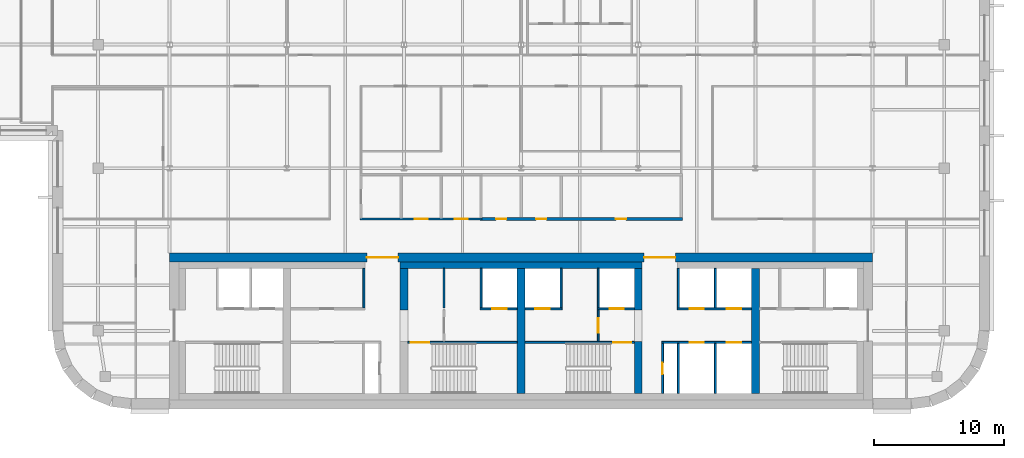
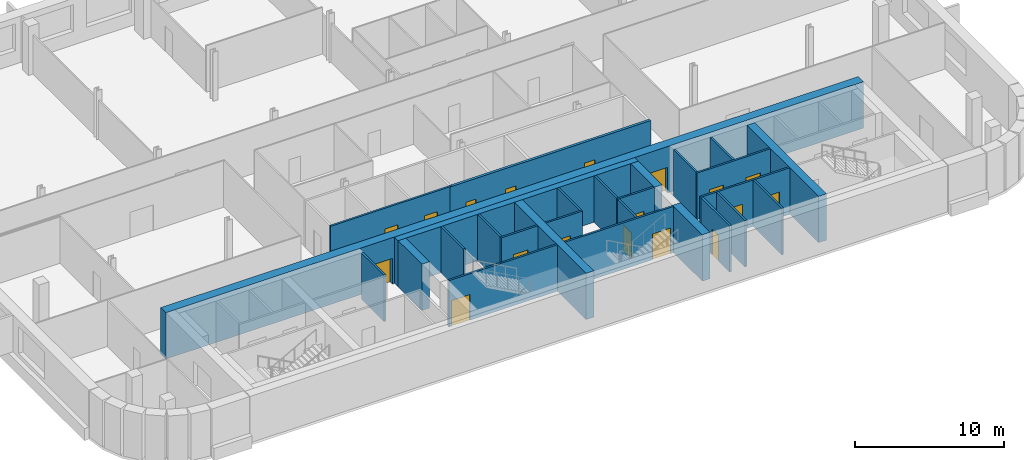
# One storey, part 8 of 16: 27 walls, 18 doors, 18 openings.
"""IFC4 building model written with IfcOpenShell, lengths in metres."""

from ifc_helpers import new_model, si_unit, direction, frame, frame_2d, origin, place, context, subcontext, project, spatial, rectangle, extrude, material, layer, layer_set, type_object, element, fill, save


model = new_model("IFC4")

# Units and contexts
model_context = context("Model", 3, precision=1e-05, world=origin(), true_north=direction((0.0, 1.0)))
body_context = subcontext(model_context, "Body", "Model", "MODEL_VIEW")
ifc_project = project(units=[si_unit("LENGTHUNIT", "METRE"), si_unit("AREAUNIT", "SQUARE_METRE"), si_unit("VOLUMEUNIT", "CUBIC_METRE"), si_unit("PLANEANGLEUNIT", "RADIAN"), si_unit("MASSUNIT", "GRAM", prefix="KILO")], contexts=[model_context])

# Site, building, storey
site_placement = place(None, origin())
site = spatial("IfcSite", under=ifc_project, at=site_placement, CompositionType="ELEMENT")
building_placement = place(site_placement, origin())
building = spatial("IfcBuilding", under=site, at=building_placement, Name="Zellij Exchange Tower", CompositionType="ELEMENT")
storey_placement = place(building_placement, frame((0.0, 0.0, 248.5)))
storey = spatial("IfcBuildingStorey", under=building, at=storey_placement, Name="L58", CompositionType="ELEMENT", Elevation=248.5)

# Walls
ifc_material_1 = material(Name="Concrete C50/60", Category="concrete")
ifc_layer_1 = layer(ifc_material_1, 0.60009765625)
ifc_layer_set_1 = layer_set([ifc_layer_1], Name="Concrete C50/60")
wall_type_1 = type_object("IfcWallType", Name="CORE-CW 600 C50/60", PredefinedType="SHEAR", material=ifc_layer_set_1)
wall_1_placement = place(storey_placement, frame((-9.0, -6.375, 0.0), z_axis=(0.0, 0.0, 1.0), x_axis=(0.0, 1.0, 0.0)))
element("IfcWall", 1, at=wall_1_placement, inside=storey, type_object=wall_type_1, Name="Core cross wall pier x -9 b L58", PredefinedType="SHEAR", context=body_context, shape_type="SweptSolid", body=[
    extrude(rectangle(XDim=3.175048828125, YDim=0.60009765625, at=frame_2d((1.58740234375, 0.0))), origin(), (0.0, 0.0, 1.0), 3.800048828125),
])
wall_2_placement = place(storey_placement, frame((0.0, -12.800048828125, 0.0), z_axis=(0.0, 0.0, 1.0), x_axis=(0.0, 1.0, 0.0)))
element("IfcWall", 2, at=wall_2_placement, inside=storey, type_object=wall_type_1, Name="Core cross wall x 0 L58", PredefinedType="SHEAR", context=body_context, shape_type="SweptSolid", body=[
    extrude(rectangle(XDim=9.60009765625, YDim=0.60009765625, at=frame_2d((4.800048828125, 0.0))), origin(), (0.0, 0.0, 1.0), 3.800048828125),
])
wall_3_placement = place(storey_placement, frame((9.0, -12.800048828125, 0.0), z_axis=(0.0, 0.0, 1.0), x_axis=(0.0, 1.0, 0.0)))
element("IfcWall", 3, at=wall_3_placement, inside=storey, type_object=wall_type_1, Name="Core cross wall pier x 9 a L58", PredefinedType="SHEAR", context=body_context, shape_type="SweptSolid", body=[
    extrude(rectangle(XDim=4.0, YDim=0.60009765625, at=frame_2d((2.0, 0.0))), origin(), (0.0, 0.0, 1.0), 3.800048828125),
])
wall_4_placement = place(storey_placement, frame((9.0, -6.375, 0.0), z_axis=(0.0, 0.0, 1.0), x_axis=(0.0, 1.0, 0.0)))
element("IfcWall", 4, at=wall_4_placement, inside=storey, type_object=wall_type_1, Name="Core cross wall pier x 9 b L58", PredefinedType="SHEAR", context=body_context, shape_type="SweptSolid", body=[
    extrude(rectangle(XDim=3.175048828125, YDim=0.60009765625, at=frame_2d((1.58740234375, 0.0))), origin(), (0.0, 0.0, 1.0), 3.800048828125),
])
wall_5_placement = place(storey_placement, frame((18.0, -12.800048828125, 0.0), z_axis=(0.0, 0.0, 1.0), x_axis=(0.0, 1.0, 0.0)))
element("IfcWall", 5, at=wall_5_placement, inside=storey, type_object=wall_type_1, Name="Core cross wall x 18 L58", PredefinedType="SHEAR", context=body_context, shape_type="SweptSolid", body=[
    extrude(rectangle(XDim=9.60009765625, YDim=0.60009765625, at=frame_2d((4.800048828125, 0.0))), origin(), (0.0, 0.0, 1.0), 3.800048828125),
])
ifc_material_2 = material(Name="Concrete C30/37", Category="concrete")
ifc_layer_2 = layer(ifc_material_2, 0.5)
ifc_layer_set_2 = layer_set([ifc_layer_2], Name="Concrete C30/37")
wall_type_2 = type_object("IfcWallType", Name="CORE-LW 500 C30/37", PredefinedType="SHEAR", material=ifc_layer_set_2)
wall_6_placement = place(storey_placement, frame((-9.300048828125, -2.949951171875, 0.0), z_axis=(0.0, 0.0, 1.0), x_axis=(1.0, 0.0, 0.0)))
element("IfcWall", 6, at=wall_6_placement, inside=storey, type_object=wall_type_2, Name="Core wall lining front.1 L58", PredefinedType="SHEAR", context=body_context, shape_type="SweptSolid", body=[
    extrude(rectangle(XDim=18.60009765625, YDim=0.5, at=frame_2d((9.300048828125, 0.0))), origin(), (0.0, 0.0, 1.0), 3.800048828125),
])

# Wall, opening, door
ifc_material_3 = material(Name="Gypsum shaft wall system")
ifc_layer_3 = layer(ifc_material_3, 0.14990234375)
ifc_layer_set_3 = layer_set([ifc_layer_3], Name="Gypsum shaft wall system")
wall_type_3 = type_object("IfcWallType", Name="CORE-PW 150 Firefighting lobby wall", PredefinedType="PARTITIONING", material=ifc_layer_set_3)
wall_7_placement = place(storey_placement, frame((5.925048828125, -8.800048828125, 0.0), z_axis=(0.0, 0.0, 1.0), x_axis=(0.0, 1.0, 0.0)))
wall_7 = element("IfcWall", 7, at=wall_7_placement, inside=storey, type_object=wall_type_3, Name="Firefighting lobby wall L58", PredefinedType="PARTITIONING", context=body_context, shape_type="SweptSolid", body=[
    extrude(rectangle(XDim=2.425048828125, YDim=0.14990234375, at=frame_2d((1.21240234375, 0.0))), origin(), (0.0, 0.0, 1.0), 3.800048828125),
])
opening_1_placement = place(wall_7_placement, frame((0.662109375, 0.0, 0.0)))
opening_1 = element("IfcOpeningElement", 8, at=opening_1_placement, cuts=wall_7, Name="Opening CA-30.13", PredefinedType="OPENING", context=body_context, shape_type="SweptSolid", body=[
    extrude(rectangle(XDim=1.10009765625, YDim=2.10009765625, at=frame_2d((0.550048828125, 1.050048828125))), frame((0.0, 0.0869140625, 0.0), z_axis=(0.0, -1.0, 0.0), x_axis=(1.0, 0.0, 0.0)), (0.0, 0.0, 1.0), 0.173828125),
])
ifc_material_4 = material(Name="Hollow metal fire door")
door_type_1 = type_object("IfcDoorType", Name="CORE-D F Firefighting lobby door 1100x2100 1 HR", OperationType="NOTDEFINED", PredefinedType="DOOR", material=ifc_material_4)
door_1_placement = place(opening_1_placement, origin())
door_1 = element("IfcDoor", 9, at=door_1_placement, inside=storey, type_object=door_type_1, Name="Firefighting lobby door CA-30.13", OperationType="SINGLE_SWING_RIGHT", OverallHeight=2.10009765625, OverallWidth=1.10009765625, PredefinedType="DOOR", context=body_context, shape_type="SweptSolid", body=[
    extrude(rectangle(XDim=1.10009765625, YDim=2.10009765625, at=frame_2d((0.550048828125, 1.050048828125))), frame((0.0, 0.02490234375, 0.0), z_axis=(0.0, -1.0, 0.0), x_axis=(1.0, 0.0, 0.0)), (0.0, 0.0, 1.0), 0.050048828125),
])
fill(opening_1, door_1)

# Walls
ifc_material_5 = material(Name="Gypsum board partition")
ifc_layer_4 = layer(ifc_material_5, 0.14990234375)
ifc_layer_set_4 = layer_set([ifc_layer_4], Name="Gypsum board partition")
wall_type_4 = type_object("IfcWallType", Name="CORE-PW 150 Lift lobby wall", PredefinedType="PARTITIONING", material=ifc_layer_set_4)
for number, where, z_axis, x_axis, name in (
    (10, (-12.074951171875, -6.22509765625, 0.0), (0.0, 0.0, 1.0), (0.0, 1.0, 0.0), "Lift lobby wall L58"),
    (11, (-5.925048828125, -6.22509765625, 0.0), (0.0, 0.0, 1.0), (0.0, 1.0, 0.0), "Lift lobby wall L58"),
):
    element("IfcWall", number, at=place(storey_placement, frame(where, z_axis=z_axis, x_axis=x_axis)), inside=storey, type_object=wall_type_4, Name=name, PredefinedType="PARTITIONING", context=body_context, shape_type="SweptSolid", body=[
        extrude(rectangle(XDim=3.025146484375, YDim=0.14990234375, at=frame_2d((1.5126953125, 0.0))), origin(), (0.0, 0.0, 1.0), 3.800048828125),
    ])

# Wall, opening, door
wall_8_placement = place(storey_placement, frame((10.875, -12.800048828125, 0.0), z_axis=(0.0, 0.0, 1.0), x_axis=(0.0, 1.0, 0.0)))
wall_8 = element("IfcWall", 12, at=wall_8_placement, inside=storey, type_object=wall_type_4, Name="Lift lobby wall L58", PredefinedType="PARTITIONING", context=body_context, shape_type="SweptSolid", body=[
    extrude(rectangle(XDim=3.85009765625, YDim=0.14990234375, at=frame_2d((1.925048828125, 0.0))), origin(), (0.0, 0.0, 1.0), 3.800048828125),
])
opening_2_placement = place(wall_8_placement, frame((1.47509765625, 0.0, 0.0)))
opening_2 = element("IfcOpeningElement", 13, at=opening_2_placement, cuts=wall_8, Name="Opening CA-30.17", PredefinedType="OPENING", context=body_context, shape_type="SweptSolid", body=[
    extrude(rectangle(XDim=0.89990234375, YDim=2.10009765625, at=frame_2d((0.449951171875, 1.050048828125))), frame((0.0, 0.0869140625, 0.0), z_axis=(0.0, -1.0, 0.0), x_axis=(1.0, 0.0, 0.0)), (0.0, 0.0, 1.0), 0.173828125),
])
door_type_2 = type_object("IfcDoorType", Name="CORE-D RD Riser door 900x2100 1.5 HR", OperationType="NOTDEFINED", PredefinedType="DOOR", material=ifc_material_4)
door_2_placement = place(opening_2_placement, origin())
door_2 = element("IfcDoor", 14, at=door_2_placement, inside=storey, type_object=door_type_2, Name="Riser door CA-30.17", OperationType="SINGLE_SWING_LEFT", OverallHeight=2.10009765625, OverallWidth=0.89990234375, PredefinedType="DOOR", context=body_context, shape_type="SweptSolid", body=[
    extrude(rectangle(XDim=0.89990234375, YDim=2.10009765625, at=frame_2d((0.449951171875, 1.050048828125))), frame((0.0, 0.02490234375, 0.0), z_axis=(0.0, -1.0, 0.0), x_axis=(1.0, 0.0, 0.0)), (0.0, 0.0, 1.0), 0.050048828125),
])
fill(opening_2, door_2)

# Walls
ifc_layer_5 = layer(ifc_material_3, 0.14990234375)
ifc_layer_set_5 = layer_set([ifc_layer_5], Name="Gypsum shaft wall system")
wall_type_5 = type_object("IfcWallType", Name="CORE-PW 150 Lift shaft wall", PredefinedType="PARTITIONING", material=ifc_layer_set_5)
for number, where, z_axis, x_axis, name in (
    (15, (-3.074951171875, -6.22509765625, 0.0), (0.0, 0.0, 1.0), (0.0, 1.0, 0.0), "Lift shaft wall L58"),
    (16, (3.074951171875, -6.22509765625, 0.0), (0.0, 0.0, 1.0), (0.0, 1.0, 0.0), "Lift shaft wall L58"),
    (17, (5.925048828125, -6.22509765625, 0.0), (0.0, 0.0, 1.0), (0.0, 1.0, 0.0), "Lift shaft wall L58"),
    (18, (12.074951171875, -6.22509765625, 0.0), (0.0, 0.0, 1.0), (0.0, 1.0, 0.0), "Lift shaft wall L58"),
    (19, (14.925048828125, -6.22509765625, 0.0), (0.0, 0.0, 1.0), (0.0, 1.0, 0.0), "Lift shaft wall L58"),
):
    element("IfcWall", number, at=place(storey_placement, frame(where, z_axis=z_axis, x_axis=x_axis)), inside=storey, type_object=wall_type_5, Name=name, PredefinedType="PARTITIONING", context=body_context, shape_type="SweptSolid", body=[
        extrude(rectangle(XDim=3.025146484375, YDim=0.14990234375, at=frame_2d((1.5126953125, 0.0))), origin(), (0.0, 0.0, 1.0), 3.800048828125),
    ])
for number, where, z_axis, x_axis, name in (
    (20, (12.074951171875, -12.800048828125, 0.0), (0.0, 0.0, 1.0), (0.0, 1.0, 0.0), "Lift shaft wall L58"),
    (21, (14.925048828125, -12.800048828125, 0.0), (0.0, 0.0, 1.0), (0.0, 1.0, 0.0), "Lift shaft wall L58"),
):
    element("IfcWall", number, at=place(storey_placement, frame(where, z_axis=z_axis, x_axis=x_axis)), inside=storey, type_object=wall_type_5, Name=name, PredefinedType="PARTITIONING", context=body_context, shape_type="SweptSolid", body=[
        extrude(rectangle(XDim=3.85009765625, YDim=0.14990234375, at=frame_2d((1.925048828125, 0.0))), origin(), (0.0, 0.0, 1.0), 3.800048828125),
    ])

# Wall, opening, door
wall_9_placement = place(storey_placement, frame((-3.14990234375, -6.300048828125, 0.0), z_axis=(0.0, 0.0, 1.0), x_axis=(1.0, 0.0, 0.0)))
wall_9 = element("IfcWall", 22, at=wall_9_placement, inside=storey, type_object=wall_type_5, Name="Lift shaft wall L58", PredefinedType="PARTITIONING", context=body_context, shape_type="SweptSolid", body=[
    extrude(rectangle(XDim=2.849853515625, YDim=0.14990234375, at=frame_2d((1.4248046875, 0.0))), origin(), (0.0, 0.0, 1.0), 3.800048828125),
])
opening_3_placement = place(wall_9_placement, frame((0.949951171875, 0.0, 0.0)))
opening_3 = element("IfcOpeningElement", 23, at=opening_3_placement, cuts=wall_9, Name="Opening CA-30.11", PredefinedType="OPENING", context=body_context, shape_type="SweptSolid", body=[
    extrude(rectangle(XDim=1.10009765625, YDim=2.10009765625, at=frame_2d((0.550048828125, 1.050048828125))), frame((0.0, 0.0869140625, 0.0), z_axis=(0.0, -1.0, 0.0), x_axis=(1.0, 0.0, 0.0)), (0.0, 0.0, 1.0), 0.173828125),
])
door_type_3 = type_object("IfcDoorType", Name="CORE-D LD Lift landing door 1100x2100 1.5 HR", OperationType="NOTDEFINED", PredefinedType="DOOR", material=ifc_material_4)
door_3_placement = place(opening_3_placement, origin())
door_3 = element("IfcDoor", 24, at=door_3_placement, inside=storey, type_object=door_type_3, Name="Lift landing door CA-30.11", OperationType="SLIDING_TO_LEFT", OverallHeight=2.10009765625, OverallWidth=1.10009765625, PredefinedType="DOOR", context=body_context, shape_type="SweptSolid", body=[
    extrude(rectangle(XDim=1.10009765625, YDim=2.10009765625, at=frame_2d((0.550048828125, 1.050048828125))), frame((0.0, 0.02490234375, 0.0), z_axis=(0.0, -1.0, 0.0), x_axis=(1.0, 0.0, 0.0)), (0.0, 0.0, 1.0), 0.050048828125),
])
fill(opening_3, door_3)

wall_10_placement = place(storey_placement, frame((0.300048828125, -6.300048828125, 0.0), z_axis=(0.0, 0.0, 1.0), x_axis=(1.0, 0.0, 0.0)))
wall_10 = element("IfcWall", 25, at=wall_10_placement, inside=storey, type_object=wall_type_5, Name="Lift shaft wall L58", PredefinedType="PARTITIONING", context=body_context, shape_type="SweptSolid", body=[
    extrude(rectangle(XDim=2.849853515625, YDim=0.14990234375, at=frame_2d((1.4248046875, 0.0))), origin(), (0.0, 0.0, 1.0), 3.800048828125),
])
opening_4_placement = place(wall_10_placement, frame((0.800048828125, 0.0, 0.0)))
opening_4 = element("IfcOpeningElement", 26, at=opening_4_placement, cuts=wall_10, Name="Opening CA-30.12", PredefinedType="OPENING", context=body_context, shape_type="SweptSolid", body=[
    extrude(rectangle(XDim=1.10009765625, YDim=2.10009765625, at=frame_2d((0.550048828125, 1.050048828125))), frame((0.0, 0.0869140625, 0.0), z_axis=(0.0, -1.0, 0.0), x_axis=(1.0, 0.0, 0.0)), (0.0, 0.0, 1.0), 0.173828125),
])
door_4_placement = place(opening_4_placement, origin())
door_4 = element("IfcDoor", 27, at=door_4_placement, inside=storey, type_object=door_type_3, Name="Lift landing door CA-30.12", OperationType="SLIDING_TO_RIGHT", OverallHeight=2.10009765625, OverallWidth=1.10009765625, PredefinedType="DOOR", context=body_context, shape_type="SweptSolid", body=[
    extrude(rectangle(XDim=1.10009765625, YDim=2.10009765625, at=frame_2d((0.550048828125, 1.050048828125))), frame((0.0, 0.02490234375, 0.0), z_axis=(0.0, -1.0, 0.0), x_axis=(1.0, 0.0, 0.0)), (0.0, 0.0, 1.0), 0.050048828125),
])
fill(opening_4, door_4)

wall_11_placement = place(storey_placement, frame((5.85009765625, -6.300048828125, 0.0), z_axis=(0.0, 0.0, 1.0), x_axis=(1.0, 0.0, 0.0)))
wall_11 = element("IfcWall", 28, at=wall_11_placement, inside=storey, type_object=wall_type_5, Name="Lift shaft wall L58", PredefinedType="PARTITIONING", context=body_context, shape_type="SweptSolid", body=[
    extrude(rectangle(XDim=2.849853515625, YDim=0.14990234375, at=frame_2d((1.4248046875, 0.0))), origin(), (0.0, 0.0, 1.0), 3.800048828125),
])
opening_5_placement = place(wall_11_placement, frame((0.949951171875, 0.0, 0.0)))
opening_5 = element("IfcOpeningElement", 29, at=opening_5_placement, cuts=wall_11, Name="Opening CA-30.14", PredefinedType="OPENING", context=body_context, shape_type="SweptSolid", body=[
    extrude(rectangle(XDim=1.10009765625, YDim=2.10009765625, at=frame_2d((0.550048828125, 1.050048828125))), frame((0.0, 0.0869140625, 0.0), z_axis=(0.0, -1.0, 0.0), x_axis=(1.0, 0.0, 0.0)), (0.0, 0.0, 1.0), 0.173828125),
])
door_5_placement = place(opening_5_placement, origin())
door_5 = element("IfcDoor", 30, at=door_5_placement, inside=storey, type_object=door_type_3, Name="Lift landing door CA-30.14", OperationType="SLIDING_TO_RIGHT", OverallHeight=2.10009765625, OverallWidth=1.10009765625, PredefinedType="DOOR", context=body_context, shape_type="SweptSolid", body=[
    extrude(rectangle(XDim=1.10009765625, YDim=2.10009765625, at=frame_2d((0.550048828125, 1.050048828125))), frame((0.0, 0.02490234375, 0.0), z_axis=(0.0, -1.0, 0.0), x_axis=(1.0, 0.0, 0.0)), (0.0, 0.0, 1.0), 0.050048828125),
])
fill(opening_5, door_5)

# Wall, openings, doors
wall_12_placement = place(storey_placement, frame((12.0, -6.300048828125, 0.0), z_axis=(0.0, 0.0, 1.0), x_axis=(1.0, 0.0, 0.0)))
wall_12 = element("IfcWall", 31, at=wall_12_placement, inside=storey, type_object=wall_type_5, Name="Lift shaft wall L58", PredefinedType="PARTITIONING", context=body_context, shape_type="SweptSolid", body=[
    extrude(rectangle(XDim=5.699951171875, YDim=0.14990234375, at=frame_2d((2.85009765625, 0.0))), origin(), (0.0, 0.0, 1.0), 3.800048828125),
])
opening_6_placement = place(wall_12_placement, frame((0.949951171875, 0.0, 0.0)))
opening_6 = element("IfcOpeningElement", 32, at=opening_6_placement, cuts=wall_12, Name="Opening CA-30.19", PredefinedType="OPENING", context=body_context, shape_type="SweptSolid", body=[
    extrude(rectangle(XDim=1.10009765625, YDim=2.10009765625, at=frame_2d((0.550048828125, 1.050048828125))), frame((0.0, 0.0869140625, 0.0), z_axis=(0.0, -1.0, 0.0), x_axis=(1.0, 0.0, 0.0)), (0.0, 0.0, 1.0), 0.173828125),
])
opening_7_placement = place(wall_12_placement, frame((3.800048828125, 0.0, 0.0)))
opening_7 = element("IfcOpeningElement", 33, at=opening_7_placement, cuts=wall_12, Name="Opening CA-30.21", PredefinedType="OPENING", context=body_context, shape_type="SweptSolid", body=[
    extrude(rectangle(XDim=1.10009765625, YDim=2.10009765625, at=frame_2d((0.550048828125, 1.050048828125))), frame((0.0, 0.0869140625, 0.0), z_axis=(0.0, -1.0, 0.0), x_axis=(1.0, 0.0, 0.0)), (0.0, 0.0, 1.0), 0.173828125),
])
door_6_placement = place(opening_6_placement, origin())
door_6 = element("IfcDoor", 34, at=door_6_placement, inside=storey, type_object=door_type_3, Name="Lift landing door CA-30.19", OperationType="SLIDING_TO_LEFT", OverallHeight=2.10009765625, OverallWidth=1.10009765625, PredefinedType="DOOR", context=body_context, shape_type="SweptSolid", body=[
    extrude(rectangle(XDim=1.10009765625, YDim=2.10009765625, at=frame_2d((0.550048828125, 1.050048828125))), frame((0.0, 0.02490234375, 0.0), z_axis=(0.0, -1.0, 0.0), x_axis=(1.0, 0.0, 0.0)), (0.0, 0.0, 1.0), 0.050048828125),
])
fill(opening_6, door_6)
door_7_placement = place(opening_7_placement, origin())
door_7 = element("IfcDoor", 35, at=door_7_placement, inside=storey, type_object=door_type_3, Name="Lift landing door CA-30.21", OperationType="SLIDING_TO_LEFT", OverallHeight=2.10009765625, OverallWidth=1.10009765625, PredefinedType="DOOR", context=body_context, shape_type="SweptSolid", body=[
    extrude(rectangle(XDim=1.10009765625, YDim=2.10009765625, at=frame_2d((0.550048828125, 1.050048828125))), frame((0.0, 0.02490234375, 0.0), z_axis=(0.0, -1.0, 0.0), x_axis=(1.0, 0.0, 0.0)), (0.0, 0.0, 1.0), 0.050048828125),
])
fill(opening_7, door_7)

wall_13_placement = place(storey_placement, frame((10.800048828125, -8.875, 0.0), z_axis=(0.0, 0.0, 1.0), x_axis=(1.0, 0.0, 0.0)))
wall_13 = element("IfcWall", 36, at=wall_13_placement, inside=storey, type_object=wall_type_5, Name="Lift shaft wall L58", PredefinedType="PARTITIONING", context=body_context, shape_type="SweptSolid", body=[
    extrude(rectangle(XDim=6.89990234375, YDim=0.14990234375, at=frame_2d((3.449951171875, 0.0))), origin(), (0.0, 0.0, 1.0), 3.800048828125),
])
opening_8_placement = place(wall_13_placement, frame((2.14990234375, 0.0, 0.0)))
opening_8 = element("IfcOpeningElement", 37, at=opening_8_placement, cuts=wall_13, Name="Opening CA-30.18", PredefinedType="OPENING", context=body_context, shape_type="SweptSolid", body=[
    extrude(rectangle(XDim=1.10009765625, YDim=2.10009765625, at=frame_2d((0.550048828125, 1.050048828125))), frame((0.0, 0.0869140625, 0.0), z_axis=(0.0, -1.0, 0.0), x_axis=(1.0, 0.0, 0.0)), (0.0, 0.0, 1.0), 0.173828125),
])
opening_9_placement = place(wall_13_placement, frame((5.0, 0.0, 0.0)))
opening_9 = element("IfcOpeningElement", 38, at=opening_9_placement, cuts=wall_13, Name="Opening CA-30.20", PredefinedType="OPENING", context=body_context, shape_type="SweptSolid", body=[
    extrude(rectangle(XDim=1.10009765625, YDim=2.10009765625, at=frame_2d((0.550048828125, 1.050048828125))), frame((0.0, 0.0869140625, 0.0), z_axis=(0.0, -1.0, 0.0), x_axis=(1.0, 0.0, 0.0)), (0.0, 0.0, 1.0), 0.173828125),
])
door_8_placement = place(opening_8_placement, origin())
door_8 = element("IfcDoor", 39, at=door_8_placement, inside=storey, type_object=door_type_3, Name="Lift landing door CA-30.18", OperationType="SLIDING_TO_RIGHT", OverallHeight=2.10009765625, OverallWidth=1.10009765625, PredefinedType="DOOR", context=body_context, shape_type="SweptSolid", body=[
    extrude(rectangle(XDim=1.10009765625, YDim=2.10009765625, at=frame_2d((0.550048828125, 1.050048828125))), frame((0.0, 0.02490234375, 0.0), z_axis=(0.0, -1.0, 0.0), x_axis=(1.0, 0.0, 0.0)), (0.0, 0.0, 1.0), 0.050048828125),
])
fill(opening_8, door_8)
door_9_placement = place(opening_9_placement, origin())
door_9 = element("IfcDoor", 40, at=door_9_placement, inside=storey, type_object=door_type_3, Name="Lift landing door CA-30.20", OperationType="SLIDING_TO_RIGHT", OverallHeight=2.10009765625, OverallWidth=1.10009765625, PredefinedType="DOOR", context=body_context, shape_type="SweptSolid", body=[
    extrude(rectangle(XDim=1.10009765625, YDim=2.10009765625, at=frame_2d((0.550048828125, 1.050048828125))), frame((0.0, 0.02490234375, 0.0), z_axis=(0.0, -1.0, 0.0), x_axis=(1.0, 0.0, 0.0)), (0.0, 0.0, 1.0), 0.050048828125),
])
fill(opening_9, door_9)

ifc_layer_6 = layer(ifc_material_1, 0.699951171875)
ifc_layer_set_6 = layer_set([ifc_layer_6], Name="Concrete C50/60")
wall_type_6 = type_object("IfcWallType", Name="CORE-SW 700 C50/60", PredefinedType="SHEAR", material=ifc_layer_set_6)
wall_14_placement = place(storey_placement, frame((-27.0, -2.35009765625, 0.0), z_axis=(0.0, 0.0, 1.0), x_axis=(1.0, 0.0, 0.0)))
wall_14 = element("IfcWall", 41, at=wall_14_placement, inside=storey, type_object=wall_type_6, Name="Core shear wall front L58", PredefinedType="SHEAR", context=body_context, shape_type="SweptSolid", body=[
    extrude(rectangle(XDim=54.0, YDim=0.699951171875, at=frame_2d((27.0, 0.0))), origin(), (0.0, 0.0, 1.0), 3.800048828125),
])
opening_10_placement = place(wall_14_placement, frame((15.14990234375, 0.0, 0.0)))
opening_10 = element("IfcOpeningElement", 42, at=opening_10_placement, cuts=wall_14, Name="Opening CA-30.08", PredefinedType="OPENING", context=body_context, shape_type="SweptSolid", body=[
    extrude(rectangle(XDim=2.39990234375, YDim=2.10009765625, at=frame_2d((1.199951171875, 1.050048828125))), frame((0.0, 0.36181640625, 0.0), z_axis=(0.0, -1.0, 0.0), x_axis=(1.0, 0.0, 0.0)), (0.0, 0.0, 1.0), 0.723876953125),
])
opening_11_placement = place(wall_14_placement, frame((36.449951171875, 0.0, 0.0)))
opening_11 = element("IfcOpeningElement", 43, at=opening_11_placement, cuts=wall_14, Name="Opening CA-30.16", PredefinedType="OPENING", context=body_context, shape_type="SweptSolid", body=[
    extrude(rectangle(XDim=2.39990234375, YDim=2.10009765625, at=frame_2d((1.199951171875, 1.050048828125))), frame((0.0, 0.36181640625, 0.0), z_axis=(0.0, -1.0, 0.0), x_axis=(1.0, 0.0, 0.0)), (0.0, 0.0, 1.0), 0.723876953125),
])
door_type_4 = type_object("IfcDoorType", Name="CORE-D CE Core entrance door 2400x2100 20 MIN", OperationType="NOTDEFINED", PredefinedType="DOOR", material=ifc_material_4)
door_10_placement = place(opening_10_placement, origin())
door_10 = element("IfcDoor", 44, at=door_10_placement, inside=storey, type_object=door_type_4, Name="Core entrance door CA-30.08", OperationType="DOUBLE_DOOR_SINGLE_SWING", OverallHeight=2.10009765625, OverallWidth=2.39990234375, PredefinedType="DOOR", context=body_context, shape_type="SweptSolid", body=[
    extrude(rectangle(XDim=2.39990234375, YDim=2.10009765625, at=frame_2d((1.199951171875, 1.050048828125))), frame((0.0, 0.02490234375, 0.0), z_axis=(0.0, -1.0, 0.0), x_axis=(1.0, 0.0, 0.0)), (0.0, 0.0, 1.0), 0.050048828125),
])
fill(opening_10, door_10)
door_11_placement = place(opening_11_placement, origin())
door_11 = element("IfcDoor", 45, at=door_11_placement, inside=storey, type_object=door_type_4, Name="Core entrance door CA-30.16", OperationType="DOUBLE_DOOR_SINGLE_SWING", OverallHeight=2.10009765625, OverallWidth=2.39990234375, PredefinedType="DOOR", context=body_context, shape_type="SweptSolid", body=[
    extrude(rectangle(XDim=2.39990234375, YDim=2.10009765625, at=frame_2d((1.199951171875, 1.050048828125))), frame((0.0, 0.02490234375, 0.0), z_axis=(0.0, -1.0, 0.0), x_axis=(1.0, 0.0, 0.0)), (0.0, 0.0, 1.0), 0.050048828125),
])
fill(opening_11, door_11)

# Wall, opening, door
ifc_layer_7 = layer(ifc_material_1, 0.14990234375)
ifc_layer_set_7 = layer_set([ifc_layer_7], Name="Concrete C50/60")
wall_type_7 = type_object("IfcWallType", Name="CORE-SWS 150 C50/60", PredefinedType="SHEAR", material=ifc_layer_set_7)
wall_15_placement = place(storey_placement, frame((-8.699951171875, -8.875, 0.0), z_axis=(0.0, 0.0, 1.0), x_axis=(1.0, 0.0, 0.0)))
wall_15 = element("IfcWall", 46, at=wall_15_placement, inside=storey, type_object=wall_type_7, Name="Stair enclosure wall L58", PredefinedType="SHEAR", context=body_context, shape_type="SweptSolid", body=[
    extrude(rectangle(XDim=8.39990234375, YDim=0.14990234375, at=frame_2d((4.199951171875, 0.0))), origin(), (0.0, 0.0, 1.0), 3.800048828125),
])
opening_12_placement = place(wall_15_placement, frame((0.22509765625, 0.0, 0.0)))
opening_12 = element("IfcOpeningElement", 47, at=opening_12_placement, cuts=wall_15, Name="Opening CA-30.09", PredefinedType="OPENING", context=body_context, shape_type="SweptSolid", body=[
    extrude(rectangle(XDim=1.39990234375, YDim=2.10009765625, at=frame_2d((0.699951171875, 1.050048828125))), frame((0.0, 0.0869140625, 0.0), z_axis=(0.0, -1.0, 0.0), x_axis=(1.0, 0.0, 0.0)), (0.0, 0.0, 1.0), 0.173828125),
])
door_type_5 = type_object("IfcDoorType", Name="CORE-D SD Stair door 1400x2100 1.5 HR", OperationType="NOTDEFINED", PredefinedType="DOOR", material=ifc_material_4)
door_12_placement = place(opening_12_placement, origin())
door_12 = element("IfcDoor", 48, at=door_12_placement, inside=storey, type_object=door_type_5, Name="Stair door CA-30.09", OperationType="DOUBLE_DOOR_SINGLE_SWING", OverallHeight=2.10009765625, OverallWidth=1.39990234375, PredefinedType="DOOR", context=body_context, shape_type="SweptSolid", body=[
    extrude(rectangle(XDim=1.39990234375, YDim=2.10009765625, at=frame_2d((0.699951171875, 1.050048828125))), frame((0.0, 0.02490234375, 0.0), z_axis=(0.0, -1.0, 0.0), x_axis=(1.0, 0.0, 0.0)), (0.0, 0.0, 1.0), 0.050048828125),
])
fill(opening_12, door_12)

wall_16_placement = place(storey_placement, frame((0.300048828125, -8.875, 0.0), z_axis=(0.0, 0.0, 1.0), x_axis=(1.0, 0.0, 0.0)))
wall_16 = element("IfcWall", 49, at=wall_16_placement, inside=storey, type_object=wall_type_7, Name="Stair enclosure wall L58", PredefinedType="SHEAR", context=body_context, shape_type="SweptSolid", body=[
    extrude(rectangle(XDim=8.39990234375, YDim=0.14990234375, at=frame_2d((4.199951171875, 0.0))), origin(), (0.0, 0.0, 1.0), 3.800048828125),
])
opening_13_placement = place(wall_16_placement, frame((6.77490234375, 0.0, 0.0)))
opening_13 = element("IfcOpeningElement", 50, at=opening_13_placement, cuts=wall_16, Name="Opening CA-30.15", PredefinedType="OPENING", context=body_context, shape_type="SweptSolid", body=[
    extrude(rectangle(XDim=1.39990234375, YDim=2.10009765625, at=frame_2d((0.699951171875, 1.050048828125))), frame((0.0, 0.0869140625, 0.0), z_axis=(0.0, -1.0, 0.0), x_axis=(1.0, 0.0, 0.0)), (0.0, 0.0, 1.0), 0.173828125),
])
door_13_placement = place(opening_13_placement, origin())
door_13 = element("IfcDoor", 51, at=door_13_placement, inside=storey, type_object=door_type_5, Name="Stair door CA-30.15", OperationType="DOUBLE_DOOR_SINGLE_SWING", OverallHeight=2.10009765625, OverallWidth=1.39990234375, PredefinedType="DOOR", context=body_context, shape_type="SweptSolid", body=[
    extrude(rectangle(XDim=1.39990234375, YDim=2.10009765625, at=frame_2d((0.699951171875, 1.050048828125))), frame((0.0, 0.02490234375, 0.0), z_axis=(0.0, -1.0, 0.0), x_axis=(1.0, 0.0, 0.0)), (0.0, 0.0, 1.0), 0.050048828125),
])
fill(opening_13, door_13)

# Wall, openings, doors
ifc_material_6 = material(Name="Blockwork partition", Category="masonry")
ifc_layer_8 = layer(ifc_material_6, 0.199951171875)
ifc_layer_set_8 = layer_set([ifc_layer_8], Name="Blockwork partition")
wall_type_8 = type_object("IfcWallType", Name="FIT-BLOCKWORK-200", PredefinedType="PARTITIONING", material=ifc_layer_set_8)
wall_17_placement = place(storey_placement, frame((-3.155029296875, 0.60009765625, 0.0), z_axis=(0.0, 0.0, 1.0), x_axis=(1.0, 0.0, 0.0)))
wall_17 = element("IfcWall", 52, at=wall_17_placement, inside=storey, type_object=wall_type_8, Name="FIT-BLOCKWORK-200 011", PredefinedType="PARTITIONING", context=body_context, shape_type="SweptSolid", body=[
    extrude(rectangle(XDim=15.554931640625, YDim=0.199951171875, at=frame_2d((7.77734375, 0.0))), origin(), (0.0, 0.0, 1.0), 3.800048828125),
])
opening_14_placement = place(wall_17_placement, frame((1.22998046875, 0.0, 0.0)))
opening_14 = element("IfcOpeningElement", 53, at=opening_14_placement, cuts=wall_17, Name="Opening O4D.05", PredefinedType="OPENING", context=body_context, shape_type="SweptSolid", body=[
    extrude(rectangle(XDim=0.800048828125, YDim=2.10009765625, at=frame_2d((0.39990234375, 1.050048828125))), frame((0.0, 0.11181640625, 0.0), z_axis=(0.0, -1.0, 0.0), x_axis=(1.0, 0.0, 0.0)), (0.0, 0.0, 1.0), 0.223876953125),
])
opening_15_placement = place(wall_17_placement, frame((4.304931640625, 0.0, 0.0)))
opening_15 = element("IfcOpeningElement", 54, at=opening_15_placement, cuts=wall_17, Name="Opening O4D.06", PredefinedType="OPENING", context=body_context, shape_type="SweptSolid", body=[
    extrude(rectangle(XDim=0.800048828125, YDim=2.10009765625, at=frame_2d((0.39990234375, 1.050048828125))), frame((0.0, 0.11181640625, 0.0), z_axis=(0.0, -1.0, 0.0), x_axis=(1.0, 0.0, 0.0)), (0.0, 0.0, 1.0), 0.223876953125),
])
opening_16_placement = place(wall_17_placement, frame((10.429931640625, 0.0, 0.0)))
opening_16 = element("IfcOpeningElement", 55, at=opening_16_placement, cuts=wall_17, Name="Opening O4D.07", PredefinedType="OPENING", context=body_context, shape_type="SweptSolid", body=[
    extrude(rectangle(XDim=0.800048828125, YDim=2.10009765625, at=frame_2d((0.39990234375, 1.050048828125))), frame((0.0, 0.11181640625, 0.0), z_axis=(0.0, -1.0, 0.0), x_axis=(1.0, 0.0, 0.0)), (0.0, 0.0, 1.0), 0.223876953125),
])
ifc_material_7 = material(Name="Timber door set", Category="wood")
door_type_6 = type_object("IfcDoorType", Name="FIT-D6-SERVICE-800X2100", OperationType="SINGLE_SWING_LEFT", PredefinedType="DOOR", material=ifc_material_7)
door_14_placement = place(opening_14_placement, origin())
door_14 = element("IfcDoor", 56, at=door_14_placement, inside=storey, type_object=door_type_6, Name="Door O4D.05", OperationType="SINGLE_SWING_LEFT", OverallHeight=2.10009765625, OverallWidth=0.800048828125, PredefinedType="DOOR", context=body_context, shape_type="SweptSolid", body=[
    extrude(rectangle(XDim=0.800048828125, YDim=2.10009765625, at=frame_2d((0.39990234375, 1.050048828125))), frame((0.0, 0.02490234375, 0.0), z_axis=(0.0, -1.0, 0.0), x_axis=(1.0, 0.0, 0.0)), (0.0, 0.0, 1.0), 0.050048828125),
])
fill(opening_14, door_14)
door_15_placement = place(opening_15_placement, origin())
door_15 = element("IfcDoor", 57, at=door_15_placement, inside=storey, type_object=door_type_6, Name="Door O4D.06", OperationType="SINGLE_SWING_LEFT", OverallHeight=2.10009765625, OverallWidth=0.800048828125, PredefinedType="DOOR", context=body_context, shape_type="SweptSolid", body=[
    extrude(rectangle(XDim=0.800048828125, YDim=2.10009765625, at=frame_2d((0.39990234375, 1.050048828125))), frame((0.0, 0.02490234375, 0.0), z_axis=(0.0, -1.0, 0.0), x_axis=(1.0, 0.0, 0.0)), (0.0, 0.0, 1.0), 0.050048828125),
])
fill(opening_15, door_15)
door_16_placement = place(opening_16_placement, origin())
door_16 = element("IfcDoor", 58, at=door_16_placement, inside=storey, type_object=door_type_6, Name="Door O4D.07", OperationType="SINGLE_SWING_RIGHT", OverallHeight=2.10009765625, OverallWidth=0.800048828125, PredefinedType="DOOR", context=body_context, shape_type="SweptSolid", body=[
    extrude(rectangle(XDim=0.800048828125, YDim=2.10009765625, at=frame_2d((0.39990234375, 1.050048828125))), frame((0.0, 0.02490234375, 0.0), z_axis=(0.0, -1.0, 0.0), x_axis=(1.0, 0.0, 0.0)), (0.0, 0.0, 1.0), 0.050048828125),
])
fill(opening_16, door_16)

ifc_material_8 = material(Name="Gypsum board shaft-wall partition", Category="gypsum")
ifc_layer_9 = layer(ifc_material_8, 0.14990234375)
ifc_layer_set_9 = layer_set([ifc_layer_9], Name="Gypsum board shaft-wall partition")
wall_type_9 = type_object("IfcWallType", Name="FIT-PARTITION-150-EI60", PredefinedType="PARTITIONING", material=ifc_layer_set_9)
wall_18_placement = place(storey_placement, frame((-12.375, 0.60009765625, 0.0), z_axis=(0.0, 0.0, 1.0), x_axis=(1.0, 0.0, 0.0)))
wall_18 = element("IfcWall", 59, at=wall_18_placement, inside=storey, type_object=wall_type_9, Name="FIT-PARTITION-150-EI60 007", PredefinedType="PARTITIONING", context=body_context, shape_type="SweptSolid", body=[
    extrude(rectangle(XDim=9.3701171875, YDim=0.14990234375, at=frame_2d((4.68505859375, 0.0))), origin(), (0.0, 0.0, 1.0), 3.800048828125),
])
opening_17_placement = place(wall_18_placement, frame((4.199951171875, 0.0, 0.0)))
opening_17 = element("IfcOpeningElement", 60, at=opening_17_placement, cuts=wall_18, Name="Opening O4D.03", PredefinedType="OPENING", context=body_context, shape_type="SweptSolid", body=[
    extrude(rectangle(XDim=1.0, YDim=2.10009765625, at=frame_2d((0.5, 1.050048828125))), frame((0.0, 0.0869140625, 0.0), z_axis=(0.0, -1.0, 0.0), x_axis=(1.0, 0.0, 0.0)), (0.0, 0.0, 1.0), 0.173828125),
])
opening_18_placement = place(wall_18_placement, frame((7.27490234375, 0.0, 0.0)))
opening_18 = element("IfcOpeningElement", 61, at=opening_18_placement, cuts=wall_18, Name="Opening O4D.04", PredefinedType="OPENING", context=body_context, shape_type="SweptSolid", body=[
    extrude(rectangle(XDim=1.0, YDim=2.10009765625, at=frame_2d((0.5, 1.050048828125))), frame((0.0, 0.0869140625, 0.0), z_axis=(0.0, -1.0, 0.0), x_axis=(1.0, 0.0, 0.0)), (0.0, 0.0, 1.0), 0.173828125),
])
ifc_material_9 = material(Name="Steel fire door set", Category="steel")
door_type_7 = type_object("IfcDoorType", Name="FIT-D4-FIRE-1000X2100", OperationType="SINGLE_SWING_LEFT", PredefinedType="DOOR", material=ifc_material_9)
door_17_placement = place(opening_17_placement, origin())
door_17 = element("IfcDoor", 62, at=door_17_placement, inside=storey, type_object=door_type_7, Name="Door O4D.03", OperationType="SINGLE_SWING_RIGHT", OverallHeight=2.10009765625, OverallWidth=1.0, PredefinedType="DOOR", context=body_context, shape_type="SweptSolid", body=[
    extrude(rectangle(XDim=1.0, YDim=2.10009765625, at=frame_2d((0.5, 1.050048828125))), frame((0.0, 0.02490234375, 0.0), z_axis=(0.0, -1.0, 0.0), x_axis=(1.0, 0.0, 0.0)), (0.0, 0.0, 1.0), 0.050048828125),
])
fill(opening_17, door_17)
door_18_placement = place(opening_18_placement, origin())
door_18 = element("IfcDoor", 63, at=door_18_placement, inside=storey, type_object=door_type_7, Name="Door O4D.04", OperationType="SINGLE_SWING_RIGHT", OverallHeight=2.10009765625, OverallWidth=1.0, PredefinedType="DOOR", context=body_context, shape_type="SweptSolid", body=[
    extrude(rectangle(XDim=1.0, YDim=2.10009765625, at=frame_2d((0.5, 1.050048828125))), frame((0.0, 0.02490234375, 0.0), z_axis=(0.0, -1.0, 0.0), x_axis=(1.0, 0.0, 0.0)), (0.0, 0.0, 1.0), 0.050048828125),
])
fill(opening_18, door_18)

save(model, "model.ifc")
